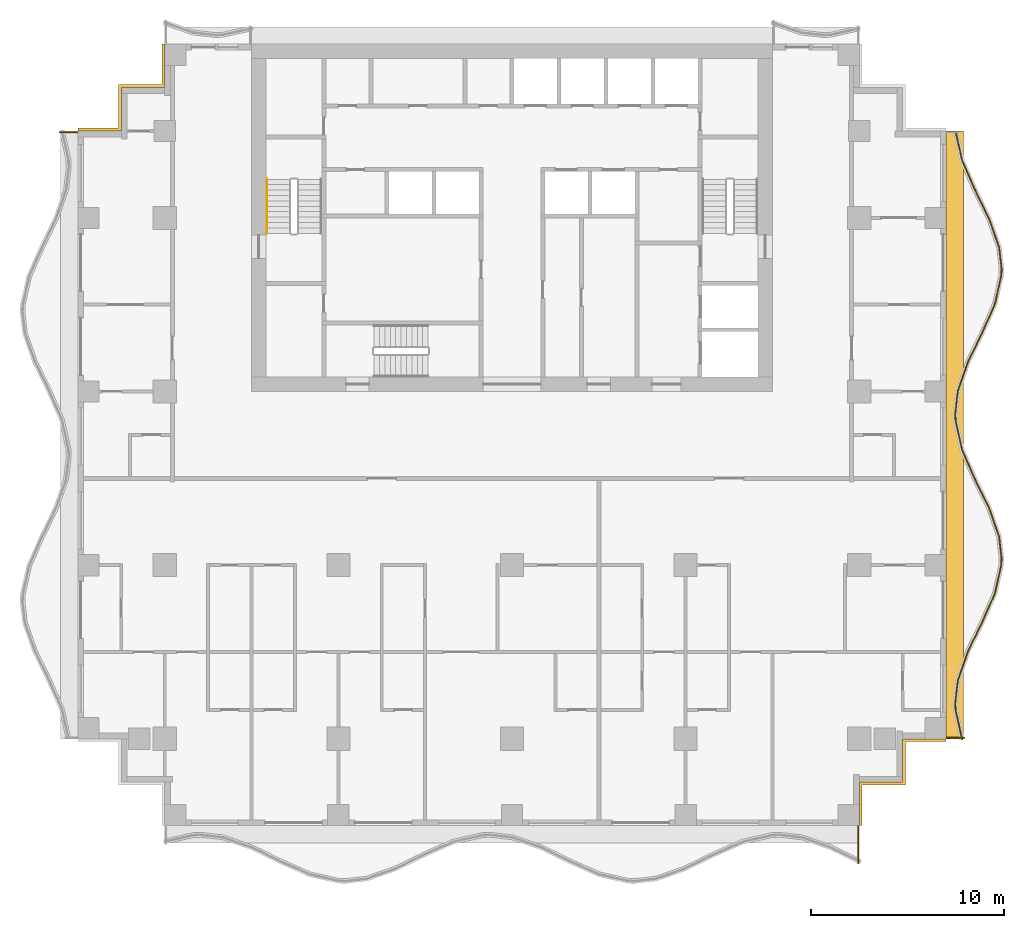
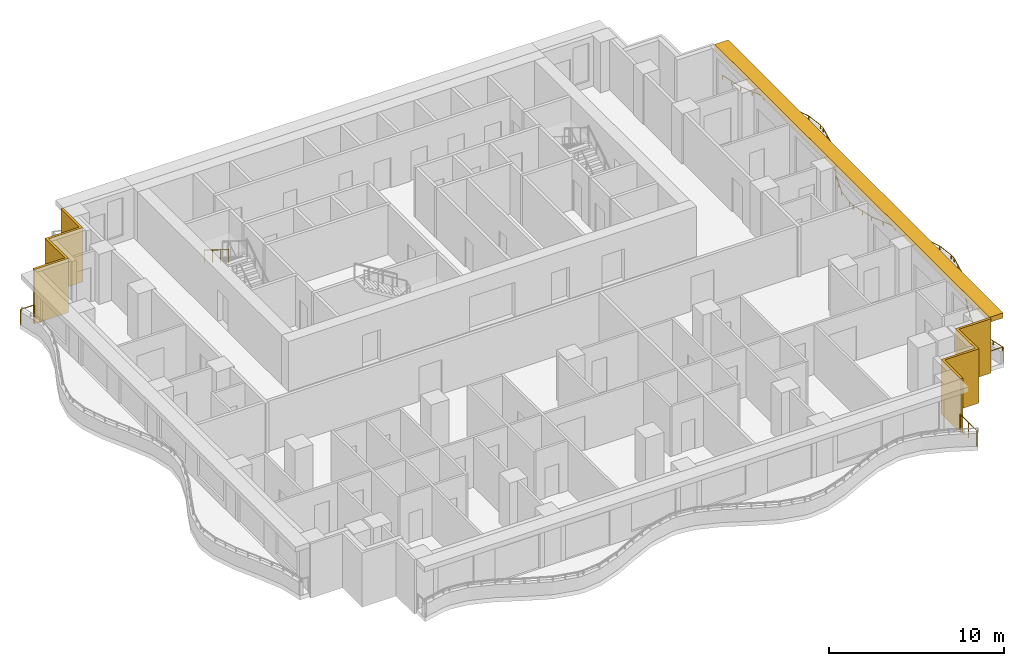
# One storey, part 9 of 10: 5 railings, 3 shading devices.
"""IFC4 building model written with IfcOpenShell, lengths in metres."""

import ifcopenshell
import ifcopenshell.guid

model = None  # the IFC model being written
_history = None  # IfcOwnerHistory: only IFC2X3 demands one
_inside = {}  # id of a spatial element -> (the spatial element, [elements in it])
_under = {}  # id of a project, library or spatial element -> (it, [spatial elements below it])
_declared = {}  # id of a project -> (the project, [libraries it declares])
_typed = {}  # id of a type object -> (the type object, [elements of that type])
_made_of = {}  # id of a material, layer set ... -> (it, [elements and type objects made of it])


def new_model(schema):
    """Start an empty IFC model of exactly this schema.

    Asked for "IFC4X3", IfcOpenShell would pick the latest addendum, in which some entities
    have other attributes; the version numbers below select the first issue.
    IFC2X3 requires an IfcOwnerHistory on every rooted entity: one is made here for all.
    """
    global model, _history
    if schema == "IFC4X3":
        model = ifcopenshell.file(schema_version=(4, 3, 0, 0))
    else:
        model = ifcopenshell.file(schema=schema)
    _inside.clear()
    _under.clear()
    _declared.clear()
    _typed.clear()
    _made_of.clear()
    _history = None
    if model.schema == "IFC2X3":
        org = make("IfcOrganization", Name="unknown")
        user = make(
            "IfcPersonAndOrganization",
            ThePerson=make("IfcPerson", FamilyName="unknown"),
            TheOrganization=org,
        )
        app = make(
            "IfcApplication",
            ApplicationDeveloper=org,
            Version="unknown",
            ApplicationFullName="unknown",
            ApplicationIdentifier="unknown",
        )
        _history = make(
            "IfcOwnerHistory",
            OwningUser=user,
            OwningApplication=app,
            ChangeAction="ADDED",
            CreationDate=0,
        )
    return model


def make(cls, **values):
    """One entity of the class cls with the attributes given. An attribute that is None is left unset."""
    return model.create_entity(
        cls, **{name: value for name, value in values.items() if value is not None}
    )


def rooted(cls, **values):
    """An entity with a GlobalId (a new one), such as an element, a storey or a relation."""
    return make(cls, GlobalId=ifcopenshell.guid.new(), OwnerHistory=_history, **values)


def si_unit(unit_type, name, prefix=None):
    """IfcSIUnit, for example si_unit("LENGTHUNIT", "METRE", prefix="MILLI")."""
    return make("IfcSIUnit", UnitType=unit_type, Prefix=prefix, Name=name)


def assignment(units):
    """IfcUnitAssignment: the units of a project."""
    return None if units is None else make("IfcUnitAssignment", Units=units)


def point(xyz):
    """IfcCartesianPoint."""
    return None if xyz is None else make("IfcCartesianPoint", Coordinates=xyz)


def direction(xyz):
    """IfcDirection."""
    return None if xyz is None else make("IfcDirection", DirectionRatios=xyz)


def frame(location, z_axis=None, x_axis=None):
    """IfcAxis2Placement3D, a coordinate frame: its origin and axes. An axis left out is left unset."""
    return make(
        "IfcAxis2Placement3D",
        Location=point(location),
        Axis=direction(z_axis),
        RefDirection=direction(x_axis),
    )


def frame_2d(location, x_axis=None):
    """IfcAxis2Placement2D, a coordinate frame in the plane: its origin and x axis."""
    return make(
        "IfcAxis2Placement2D", Location=point(location), RefDirection=direction(x_axis)
    )


def origin():
    """The frame at (0, 0, 0) with its axes left unset."""
    return frame((0.0, 0.0, 0.0))


def origin_2d():
    """The frame at (0, 0) in the plane with its x axis left unset."""
    return frame_2d((0.0, 0.0))


def place(relative_to, where):
    """IfcLocalPlacement: puts the frame where relative to a parent placement (None: the world)."""
    return make(
        "IfcLocalPlacement", PlacementRelTo=relative_to, RelativePlacement=where
    )


def context(
    kind, dimensions, precision=None, world=None, true_north=None, identifier=None
):
    """IfcGeometricRepresentationContext, for example the 3D "Model" context."""
    return make(
        "IfcGeometricRepresentationContext",
        ContextIdentifier=identifier,
        ContextType=kind,
        CoordinateSpaceDimension=dimensions,
        Precision=precision,
        WorldCoordinateSystem=world,
        TrueNorth=true_north,
    )


def subcontext(parent, identifier, kind, view, scale=None):
    """IfcGeometricRepresentationSubContext, for example "Body" below "Model"."""
    return make(
        "IfcGeometricRepresentationSubContext",
        ContextIdentifier=identifier,
        ContextType=kind,
        ParentContext=parent,
        TargetScale=scale,
        TargetView=view,
    )


def project(units=None, contexts=None):
    """IfcProject with its units and contexts."""
    return rooted(
        "IfcProject",
        Name="project",
        RepresentationContexts=contexts,
        UnitsInContext=assignment(units),
    )


def spatial(cls, under=None, at=None, **own):
    """A site, building, storey or space (cls), placed at a placement, below another one or the project."""
    s = rooted(cls, ObjectPlacement=at, **own)
    if under is not None:
        _under.setdefault(under.id(), (under, []))[1].append(s)
    return s


def polyline(points):
    """IfcPolyline through the points."""
    return make("IfcPolyline", Points=[point(p) for p in points])


def profile(cls, at=None, kind="AREA", **sizes):
    """A parametric profile (cls). Its sizes go by their IFC names, for example OverallWidth=200.0."""
    return make(cls, ProfileType=kind, Position=at, **sizes)


def rectangle(**sizes):
    """IfcRectangleProfileDef."""
    return profile("IfcRectangleProfileDef", **sizes)


def circle(**sizes):
    """IfcCircleProfileDef."""
    return profile("IfcCircleProfileDef", **sizes)


def outline(outer, holes=None, kind="AREA"):
    """IfcArbitraryClosedProfileDef: a profile drawn as a closed curve; with holes, ...WithVoids."""
    if holes is None:
        return make("IfcArbitraryClosedProfileDef", ProfileType=kind, OuterCurve=outer)
    return make(
        "IfcArbitraryProfileDefWithVoids",
        ProfileType=kind,
        OuterCurve=outer,
        InnerCurves=holes,
    )


def extrude(swept, where, along, depth):
    """IfcExtrudedAreaSolid: the profile swept, set in the frame where, extruded along a direction by depth."""
    return make(
        "IfcExtrudedAreaSolid",
        SweptArea=swept,
        Position=where,
        ExtrudedDirection=direction(along),
        Depth=depth,
    )


def shape(context_of_items, identifier, shape_type, items):
    """IfcShapeRepresentation: the items that make up one representation, for example the "Body"."""
    return make(
        "IfcShapeRepresentation",
        ContextOfItems=context_of_items,
        RepresentationIdentifier=identifier,
        RepresentationType=shape_type,
        Items=items,
    )


def material(Name=None, Category=None):
    """IfcMaterial."""
    return make("IfcMaterial", Name=Name, Category=Category)


def layer(
    of_material, thickness, ventilated=None, Name=None, Category=None, Priority=None
):
    """IfcMaterialLayer: one layer of a wall or slab, of a material (None: an air gap)."""
    return make(
        "IfcMaterialLayer",
        Material=of_material,
        LayerThickness=thickness,
        IsVentilated=ventilated,
        Name=Name,
        Category=Category,
        Priority=Priority,
    )


def layer_set(layers, Name=None):
    """IfcMaterialLayerSet."""
    return make("IfcMaterialLayerSet", MaterialLayers=layers, LayerSetName=Name)


def made_of(thing, what):
    """Note that an element or type object is made of a material, layer set ...; save() writes the relation."""
    if what is not None:
        _made_of.setdefault(what.id(), (what, []))[1].append(thing)
    return thing


def type_object(cls, material=None, **own):
    """A type object (cls), such as IfcWallType, which elements share."""
    return made_of(rooted(cls, **own), material)


def element(
    cls,
    number,
    at=None,
    inside=None,
    cuts=None,
    type_object=None,
    material=None,
    context=None,
    identifier="Body",
    shape_type=None,
    held_by="IfcProductDefinitionShape",
    body=None,
    shapes=None,
    **own,
):
    """One element of the class cls, such as IfcWall. Its Tag is "e" and its number.

    at: its placement. inside: the storey or other place that contains it. cuts: it is an
    opening in that element (IfcRelVoidsElement). A single representation is given by context,
    identifier, shape_type and body (its items); several are given by shapes. held_by: the class
    of the entity that holds the representations. save() writes the other relations.
    """
    e = rooted(cls, Tag="e%d" % number, ObjectPlacement=at, **own)
    if body is not None:
        shapes = [shape(context, identifier, shape_type, body)]
    if shapes is not None:
        e.Representation = make(held_by, Representations=shapes)
    if inside is not None:
        _inside.setdefault(inside.id(), (inside, []))[1].append(e)
    if cuts is not None:
        rooted(
            "IfcRelVoidsElement", RelatingBuildingElement=cuts, RelatedOpeningElement=e
        )
    if type_object is not None:
        _typed.setdefault(type_object.id(), (type_object, []))[1].append(e)
    return made_of(e, material)


def aggregate(whole, parts):
    """IfcRelAggregates: a whole, such as a stair, and the parts it consists of."""
    return rooted("IfcRelAggregates", RelatingObject=whole, RelatedObjects=parts)


def save(model, path):
    """Write the relations noted so far, then the file.

    IfcRelAggregates (storeys below a building ...), IfcRelContainedInSpatialStructure (elements
    in a storey), IfcRelDefinesByType, IfcRelAssociatesMaterial and IfcRelDeclares: one each for
    every whole, place, type object, material and project.
    """
    for whole, parts in _under.values():
        aggregate(whole, parts)
    for where, things in _inside.values():
        rooted(
            "IfcRelContainedInSpatialStructure",
            RelatedElements=things,
            RelatingStructure=where,
        )
    for kind, things in _typed.values():
        rooted("IfcRelDefinesByType", RelatedObjects=things, RelatingType=kind)
    for what, things in _made_of.values():
        rooted("IfcRelAssociatesMaterial", RelatedObjects=things, RelatingMaterial=what)
    for by, libraries in _declared.values():
        rooted("IfcRelDeclares", RelatingContext=by, RelatedDefinitions=libraries)
    model.write(path)


model = new_model("IFC4")

# Units and contexts
model_context = context("Model", 3, precision=1e-05, world=origin(), true_north=direction((0.0, 1.0)))
body_context = subcontext(model_context, "Body", "Model", "MODEL_VIEW")
ifc_project = project(units=[si_unit("LENGTHUNIT", "METRE"), si_unit("AREAUNIT", "SQUARE_METRE"), si_unit("VOLUMEUNIT", "CUBIC_METRE"), si_unit("PLANEANGLEUNIT", "RADIAN"), si_unit("MASSUNIT", "GRAM", prefix="KILO")], contexts=[model_context])

# Site, building, storey
site_placement = place(None, origin())
site = spatial("IfcSite", under=ifc_project, at=site_placement, CompositionType="ELEMENT")
building_placement = place(site_placement, origin())
building = spatial("IfcBuilding", under=site, at=building_placement, Name="Orbiselva Terraces", CompositionType="ELEMENT")
storey_placement = place(building_placement, frame((0.0, 0.0, 163.0)))
storey = spatial("IfcBuildingStorey", under=building, at=storey_placement, Name="L41", CompositionType="ELEMENT", Elevation=163.0)

# Railings
ifc_material_1 = material(Name="Stainless steel", Category="steel")
railing_type_1 = type_object("IfcRailingType", Name="CORE-HANDRAIL-900", PredefinedType="HANDRAIL", material=ifc_material_1)
railing_1_placement = place(storey_placement, frame((-12.7, 15.5, 2.072727)))
element("IfcRailing", 1, at=railing_1_placement, inside=storey, type_object=railing_type_1, Name="L41 S1 stair handrail 2", PredefinedType="HANDRAIL", context=body_context, shape_type="SweptSolid", body=[
    extrude(circle(Radius=0.024, at=origin_2d()), frame((0.0, 0.0, 0.876), z_axis=(0.0, -0.851088519012, 0.52502222125), x_axis=(1.0, 0.0, 0.0)), (0.0, 0.0, 1.0), 3.289905),
    extrude(circle(Radius=0.021, at=origin_2d()), origin(), (0.0, 0.0, 1.0), 0.852),
    extrude(circle(Radius=0.021, at=origin_2d()), frame((0.0, -0.933333, 0.575758)), (0.0, 0.0, 1.0), 0.852),
    extrude(circle(Radius=0.021, at=origin_2d()), frame((0.0, -1.866667, 1.151515)), (0.0, 0.0, 1.0), 0.852),
    extrude(circle(Radius=0.021, at=origin_2d()), frame((0.0, -2.8, 1.727273)), (0.0, 0.0, 1.0), 0.852),
])
ifc_material_2 = material(Name="Bonded two-ply safety glass balustrade, stainless steel posts", Category="steel")
railing_type_2 = type_object("IfcRailingType", Name="ENV-BALUSTRADE-1200", PredefinedType="BALUSTRADE", material=ifc_material_2)
railing_2_placement = place(storey_placement, frame((23.329507, -13.527377, 0.9)))
element("IfcRailing", 2, at=railing_2_placement, inside=storey, type_object=railing_type_2, Name="Balcony balustrade L41 E", PredefinedType="BALUSTRADE", context=body_context, shape_type="SweptSolid", body=[
    extrude(outline(polyline([(0.028868, 0.0), (0.014434, 0.025), (-0.014434, 0.025), (-0.028868, 0.0), (-0.014434, -0.025), (0.014434, -0.025), (0.028868, 0.0)])), frame((0.0, 0.0, 0.275), z_axis=(-0.219015484484, 0.97572138316, 0.0), x_axis=(-0.97572138316, -0.219015484484, 0.0)), (0.0, 0.0, 1.0), 1.548694),
    extrude(outline(polyline([(0.028868, 0.0), (0.014434, 0.025), (-0.014434, 0.025), (-0.028868, 0.0), (-0.014434, -0.025), (0.014434, -0.025), (0.028868, 0.0)])), frame((-0.339188, 1.511094, 0.275), z_axis=(-0.03936915532, 0.999224734286, 0.0), x_axis=(-0.999224734286, -0.03936915532, 0.0)), (0.0, 0.0, 1.0), 0.396376),
    extrude(outline(polyline([(0.028868, 0.0), (0.014434, 0.025), (-0.014434, 0.025), (-0.028868, 0.0), (-0.014434, -0.025), (0.014434, -0.025), (0.028868, 0.0)])), frame((-0.354793, 1.907163, 0.275), z_axis=(0.115482182324, 0.993309551734, 0.0), x_axis=(-0.993309551734, 0.115482182324, 0.0)), (0.0, 0.0, 1.0), 1.156135),
    extrude(outline(polyline([(0.028868, 0.0), (0.014434, 0.025), (-0.014434, 0.025), (-0.028868, 0.0), (-0.014434, -0.025), (0.014434, -0.025), (0.028868, 0.0)])), frame((-0.22128, 3.055563, 0.275), z_axis=(0.330024597479, 0.943972332783, 0.0), x_axis=(-0.943972332783, 0.330024597479, 0.0)), (0.0, 0.0, 1.0), 1.610253),
    extrude(outline(polyline([(0.028868, 0.0), (0.014434, 0.025), (-0.014434, 0.025), (-0.028868, 0.0), (-0.014434, -0.025), (0.014434, -0.025), (0.028868, 0.0)])), frame((0.310143, 4.575597, 0.275), z_axis=(0.438812048596, 0.898578870221, 0.0), x_axis=(-0.898578870221, 0.438812048596, 0.0)), (0.0, 0.0, 1.0), 1.674225),
    extrude(outline(polyline([(0.028868, 0.0), (0.014434, 0.025), (-0.014434, 0.025), (-0.028868, 0.0), (-0.014434, -0.025), (0.014434, -0.025), (0.028868, 0.0)])), frame((1.044813, 6.08002, 0.275), z_axis=(0.403151245402, 0.915133363686, 0.0), x_axis=(-0.915133363686, 0.403151245402, 0.0)), (0.0, 0.0, 1.0), 1.624475),
    extrude(outline(polyline([(0.028868, 0.0), (0.014434, 0.025), (-0.014434, 0.025), (-0.028868, 0.0), (-0.014434, -0.025), (0.014434, -0.025), (0.028868, 0.0)])), frame((1.699722, 7.566631, 0.275), z_axis=(0.219015740235, 0.975721325753, 0.0), x_axis=(-0.975721325753, 0.219015740235, 0.0)), (0.0, 0.0, 1.0), 1.513782),
    extrude(outline(polyline([(0.028868, 0.0), (0.014434, 0.025), (-0.014434, 0.025), (-0.028868, 0.0), (-0.014434, -0.025), (0.014434, -0.025), (0.028868, 0.0)])), frame((2.031264, 9.04366, 0.275), z_axis=(0.039364150694, 0.999224931454, 0.0), x_axis=(-0.999224931454, 0.039364150694, 0.0)), (0.0, 0.0, 1.0), 0.354206),
    extrude(outline(polyline([(0.028868, 0.0), (0.014434, 0.025), (-0.014434, 0.025), (-0.028868, 0.0), (-0.014434, -0.025), (0.014434, -0.025), (0.028868, 0.0)])), frame((2.045207, 9.397591, 0.275), z_axis=(-0.115481264762, 0.993309658409, 0.0), x_axis=(-0.993309658409, -0.115481264762, 0.0)), (0.0, 0.0, 1.0), 1.10902),
    extrude(outline(polyline([(0.028868, 0.0), (0.014434, 0.025), (-0.014434, 0.025), (-0.028868, 0.0), (-0.014434, -0.025), (0.014434, -0.025), (0.028868, 0.0)])), frame((1.917136, 10.499191, 0.275), z_axis=(-0.330024754707, 0.943972277814, 0.0), x_axis=(-0.943972277814, -0.330024754707, 0.0)), (0.0, 0.0, 1.0), 1.567807),
    extrude(outline(polyline([(0.028868, 0.0), (0.014434, 0.025), (-0.014434, 0.025), (-0.028868, 0.0), (-0.014434, -0.025), (0.014434, -0.025), (0.028868, 0.0)])), frame((1.399721, 11.979157, 0.275), z_axis=(-0.438811978768, 0.89857890432, 0.0), x_axis=(-0.89857890432, -0.438811978768, 0.0)), (0.0, 0.0, 1.0), 1.66438),
    extrude(outline(polyline([(0.028868, 0.0), (0.014434, 0.025), (-0.014434, 0.025), (-0.028868, 0.0), (-0.014434, -0.025), (0.014434, -0.025), (0.028868, 0.0)])), frame((0.669371, 13.474734, 0.275), z_axis=(-0.403150874148, 0.915133527237, 0.0), x_axis=(-0.915133527237, -0.403150874148, 0.0)), (0.0, 0.0, 1.0), 1.653736),
    extrude(outline(polyline([(0.028868, 0.0), (0.014434, 0.025), (-0.014434, 0.025), (-0.028868, 0.0), (-0.014434, -0.025), (0.014434, -0.025), (0.028868, 0.0)])), frame((0.002666, 14.988123, 0.275), z_axis=(-0.219015500924, 0.97572137947, 0.0), x_axis=(-0.97572137947, -0.219015500924, 0.0)), (0.0, 0.0, 1.0), 1.560867),
    extrude(outline(polyline([(0.028868, 0.0), (0.014434, 0.025), (-0.014434, 0.025), (-0.028868, 0.0), (-0.014434, -0.025), (0.014434, -0.025), (0.028868, 0.0)])), frame((-0.339188, 16.511094, 0.275), z_axis=(-0.03936915532, 0.999224734286, 0.0), x_axis=(-0.999224734286, -0.03936915532, 0.0)), (0.0, 0.0, 1.0), 0.396376),
    extrude(outline(polyline([(0.028868, 0.0), (0.014434, 0.025), (-0.014434, 0.025), (-0.028868, 0.0), (-0.014434, -0.025), (0.014434, -0.025), (0.028868, 0.0)])), frame((-0.354793, 16.907163, 0.275), z_axis=(0.115482182324, 0.993309551734, 0.0), x_axis=(-0.993309551734, 0.115482182324, 0.0)), (0.0, 0.0, 1.0), 1.156135),
    extrude(outline(polyline([(0.028868, 0.0), (0.014434, 0.025), (-0.014434, 0.025), (-0.028868, 0.0), (-0.014434, -0.025), (0.014434, -0.025), (0.028868, 0.0)])), frame((-0.22128, 18.055563, 0.275), z_axis=(0.330024597479, 0.943972332783, 0.0), x_axis=(-0.943972332783, 0.330024597479, 0.0)), (0.0, 0.0, 1.0), 1.610253),
    extrude(outline(polyline([(0.028868, 0.0), (0.014434, 0.025), (-0.014434, 0.025), (-0.028868, 0.0), (-0.014434, -0.025), (0.014434, -0.025), (0.028868, 0.0)])), frame((0.310143, 19.575597, 0.275), z_axis=(0.438812048596, 0.898578870221, 0.0), x_axis=(-0.898578870221, 0.438812048596, 0.0)), (0.0, 0.0, 1.0), 1.674225),
    extrude(outline(polyline([(0.028868, 0.0), (0.014434, 0.025), (-0.014434, 0.025), (-0.028868, 0.0), (-0.014434, -0.025), (0.014434, -0.025), (0.028868, 0.0)])), frame((1.044813, 21.08002, 0.275), z_axis=(0.403151245402, 0.915133363686, 0.0), x_axis=(-0.915133363686, 0.403151245402, 0.0)), (0.0, 0.0, 1.0), 1.624475),
    extrude(outline(polyline([(0.028868, 0.0), (0.014434, 0.025), (-0.014434, 0.025), (-0.028868, 0.0), (-0.014434, -0.025), (0.014434, -0.025), (0.028868, 0.0)])), frame((1.699722, 22.566631, 0.275), z_axis=(0.219015740235, 0.975721325753, 0.0), x_axis=(-0.975721325753, 0.219015740235, 0.0)), (0.0, 0.0, 1.0), 1.513782),
    extrude(outline(polyline([(0.028868, 0.0), (0.014434, 0.025), (-0.014434, 0.025), (-0.028868, 0.0), (-0.014434, -0.025), (0.014434, -0.025), (0.028868, 0.0)])), frame((2.031264, 24.04366, 0.275), z_axis=(0.039364150694, 0.999224931454, 0.0), x_axis=(-0.999224931454, 0.039364150694, 0.0)), (0.0, 0.0, 1.0), 0.354206),
    extrude(outline(polyline([(0.028868, 0.0), (0.014434, 0.025), (-0.014434, 0.025), (-0.028868, 0.0), (-0.014434, -0.025), (0.014434, -0.025), (0.028868, 0.0)])), frame((2.045207, 24.397591, 0.275), z_axis=(-0.115481264762, 0.993309658409, 0.0), x_axis=(-0.993309658409, -0.115481264762, 0.0)), (0.0, 0.0, 1.0), 1.10902),
    extrude(outline(polyline([(0.028868, 0.0), (0.014434, 0.025), (-0.014434, 0.025), (-0.028868, 0.0), (-0.014434, -0.025), (0.014434, -0.025), (0.028868, 0.0)])), frame((1.917136, 25.499191, 0.275), z_axis=(-0.330024754707, 0.943972277814, 0.0), x_axis=(-0.943972277814, -0.330024754707, 0.0)), (0.0, 0.0, 1.0), 1.567807),
    extrude(outline(polyline([(0.028868, 0.0), (0.014434, 0.025), (-0.014434, 0.025), (-0.028868, 0.0), (-0.014434, -0.025), (0.014434, -0.025), (0.028868, 0.0)])), frame((1.399721, 26.979157, 0.275), z_axis=(-0.438811978768, 0.89857890432, 0.0), x_axis=(-0.89857890432, -0.438811978768, 0.0)), (0.0, 0.0, 1.0), 1.66438),
    extrude(outline(polyline([(0.028868, 0.0), (0.014434, 0.025), (-0.014434, 0.025), (-0.028868, 0.0), (-0.014434, -0.025), (0.014434, -0.025), (0.028868, 0.0)])), frame((0.669371, 28.474734, 0.275), z_axis=(-0.403150874148, 0.915133527237, 0.0), x_axis=(-0.915133527237, -0.403150874148, 0.0)), (0.0, 0.0, 1.0), 1.653736),
    extrude(outline(polyline([(0.028868, 0.0), (0.014434, 0.025), (-0.014434, 0.025), (-0.028868, 0.0), (-0.014434, -0.025), (0.014434, -0.025), (0.028868, 0.0)])), frame((0.002666, 29.988123, 0.275), z_axis=(-0.219015634252, 0.975721349543, 0.0), x_axis=(-0.975721349543, -0.219015634252, 0.0)), (0.0, 0.0, 1.0), 1.549497),
    extrude(rectangle(XDim=0.05, YDim=0.05, at=origin_2d()), origin(), (0.0, 0.0, 1.0), 0.25),
    extrude(rectangle(XDim=0.05, YDim=0.05, at=origin_2d()), frame((-0.169594, 0.755547, 0.0)), (0.0, 0.0, 1.0), 0.25),
    extrude(rectangle(XDim=0.05, YDim=0.05, at=origin_2d()), frame((-0.339188, 1.511094, 0.0)), (0.0, 0.0, 1.0), 0.25),
    extrude(rectangle(XDim=0.05, YDim=0.05, at=origin_2d()), frame((-0.354793, 1.907163, 0.0)), (0.0, 0.0, 1.0), 0.25),
    extrude(rectangle(XDim=0.05, YDim=0.05, at=origin_2d()), frame((-0.22128, 3.055563, 0.0)), (0.0, 0.0, 1.0), 0.25),
    extrude(rectangle(XDim=0.05, YDim=0.05, at=origin_2d()), frame((0.044431, 3.81558, 0.0)), (0.0, 0.0, 1.0), 0.25),
    extrude(rectangle(XDim=0.05, YDim=0.05, at=origin_2d()), frame((0.310143, 4.575597, 0.0)), (0.0, 0.0, 1.0), 0.25),
    extrude(rectangle(XDim=0.05, YDim=0.05, at=origin_2d()), frame((0.677478, 5.327808, 0.0)), (0.0, 0.0, 1.0), 0.25),
    extrude(rectangle(XDim=0.05, YDim=0.05, at=origin_2d()), frame((1.044813, 6.08002, 0.0)), (0.0, 0.0, 1.0), 0.25),
    extrude(rectangle(XDim=0.05, YDim=0.05, at=origin_2d()), frame((1.372268, 6.823325, 0.0)), (0.0, 0.0, 1.0), 0.25),
    extrude(rectangle(XDim=0.05, YDim=0.05, at=origin_2d()), frame((1.699722, 7.566631, 0.0)), (0.0, 0.0, 1.0), 0.25),
    extrude(rectangle(XDim=0.05, YDim=0.05, at=origin_2d()), frame((1.865493, 8.305145, 0.0)), (0.0, 0.0, 1.0), 0.25),
    extrude(rectangle(XDim=0.05, YDim=0.05, at=origin_2d()), frame((2.031264, 9.04366, 0.0)), (0.0, 0.0, 1.0), 0.25),
    extrude(rectangle(XDim=0.05, YDim=0.05, at=origin_2d()), frame((2.045207, 9.397591, 0.0)), (0.0, 0.0, 1.0), 0.25),
    extrude(rectangle(XDim=0.05, YDim=0.05, at=origin_2d()), frame((1.917136, 10.499191, 0.0)), (0.0, 0.0, 1.0), 0.25),
    extrude(rectangle(XDim=0.05, YDim=0.05, at=origin_2d()), frame((1.658428, 11.239174, 0.0)), (0.0, 0.0, 1.0), 0.25),
    extrude(rectangle(XDim=0.05, YDim=0.05, at=origin_2d()), frame((1.399721, 11.979157, 0.0)), (0.0, 0.0, 1.0), 0.25),
    extrude(rectangle(XDim=0.05, YDim=0.05, at=origin_2d()), frame((1.034546, 12.726946, 0.0)), (0.0, 0.0, 1.0), 0.25),
    extrude(rectangle(XDim=0.05, YDim=0.05, at=origin_2d()), frame((0.669371, 13.474734, 0.0)), (0.0, 0.0, 1.0), 0.25),
    extrude(rectangle(XDim=0.05, YDim=0.05, at=origin_2d()), frame((0.336019, 14.231428, 0.0)), (0.0, 0.0, 1.0), 0.25),
    extrude(rectangle(XDim=0.05, YDim=0.05, at=origin_2d()), frame((0.002666, 14.988123, 0.0)), (0.0, 0.0, 1.0), 0.25),
    extrude(rectangle(XDim=0.05, YDim=0.05, at=origin_2d()), frame((-0.168261, 15.749608, 0.0)), (0.0, 0.0, 1.0), 0.25),
    extrude(rectangle(XDim=0.05, YDim=0.05, at=origin_2d()), frame((-0.339188, 16.511094, 0.0)), (0.0, 0.0, 1.0), 0.25),
    extrude(rectangle(XDim=0.05, YDim=0.05, at=origin_2d()), frame((-0.354793, 16.907163, 0.0)), (0.0, 0.0, 1.0), 0.25),
    extrude(rectangle(XDim=0.05, YDim=0.05, at=origin_2d()), frame((-0.22128, 18.055563, 0.0)), (0.0, 0.0, 1.0), 0.25),
    extrude(rectangle(XDim=0.05, YDim=0.05, at=origin_2d()), frame((0.044431, 18.81558, 0.0)), (0.0, 0.0, 1.0), 0.25),
    extrude(rectangle(XDim=0.05, YDim=0.05, at=origin_2d()), frame((0.310143, 19.575597, 0.0)), (0.0, 0.0, 1.0), 0.25),
    extrude(rectangle(XDim=0.05, YDim=0.05, at=origin_2d()), frame((0.677478, 20.327808, 0.0)), (0.0, 0.0, 1.0), 0.25),
    extrude(rectangle(XDim=0.05, YDim=0.05, at=origin_2d()), frame((1.044813, 21.08002, 0.0)), (0.0, 0.0, 1.0), 0.25),
    extrude(rectangle(XDim=0.05, YDim=0.05, at=origin_2d()), frame((1.372268, 21.823326, 0.0)), (0.0, 0.0, 1.0), 0.25),
    extrude(rectangle(XDim=0.05, YDim=0.05, at=origin_2d()), frame((1.699722, 22.566631, 0.0)), (0.0, 0.0, 1.0), 0.25),
    extrude(rectangle(XDim=0.05, YDim=0.05, at=origin_2d()), frame((1.865493, 23.305146, 0.0)), (0.0, 0.0, 1.0), 0.25),
    extrude(rectangle(XDim=0.05, YDim=0.05, at=origin_2d()), frame((2.031264, 24.04366, 0.0)), (0.0, 0.0, 1.0), 0.25),
    extrude(rectangle(XDim=0.05, YDim=0.05, at=origin_2d()), frame((2.045207, 24.397591, 0.0)), (0.0, 0.0, 1.0), 0.25),
    extrude(rectangle(XDim=0.05, YDim=0.05, at=origin_2d()), frame((1.917136, 25.499191, 0.0)), (0.0, 0.0, 1.0), 0.25),
    extrude(rectangle(XDim=0.05, YDim=0.05, at=origin_2d()), frame((1.658428, 26.239174, 0.0)), (0.0, 0.0, 1.0), 0.25),
    extrude(rectangle(XDim=0.05, YDim=0.05, at=origin_2d()), frame((1.399721, 26.979157, 0.0)), (0.0, 0.0, 1.0), 0.25),
    extrude(rectangle(XDim=0.05, YDim=0.05, at=origin_2d()), frame((1.034546, 27.726946, 0.0)), (0.0, 0.0, 1.0), 0.25),
    extrude(rectangle(XDim=0.05, YDim=0.05, at=origin_2d()), frame((0.669371, 28.474734, 0.0)), (0.0, 0.0, 1.0), 0.25),
    extrude(rectangle(XDim=0.05, YDim=0.05, at=origin_2d()), frame((0.336019, 29.231428, 0.0)), (0.0, 0.0, 1.0), 0.25),
    extrude(rectangle(XDim=0.05, YDim=0.05, at=origin_2d()), frame((0.002666, 29.988123, 0.0)), (0.0, 0.0, 1.0), 0.25),
    extrude(rectangle(XDim=0.05, YDim=0.05, at=origin_2d()), frame((-0.167016, 30.744062, 0.0)), (0.0, 0.0, 1.0), 0.25),
    extrude(rectangle(XDim=0.05, YDim=0.05, at=origin_2d()), frame((-0.336698, 31.5, 0.0)), (0.0, 0.0, 1.0), 0.25),
])
ifc_material_3 = material(Name="Stainless steel rail and posts", Category="steel")
railing_type_3 = type_object("IfcRailingType", Name="ENV-GUARD-1105", PredefinedType="BALUSTRADE", material=ifc_material_3)
railing_3_placement = place(storey_placement, frame((17.94, -19.957877, 0.0)))
element("IfcRailing", 3, at=railing_3_placement, inside=storey, type_object=railing_type_3, Name="Balcony end guard L41 S", PredefinedType="BALUSTRADE", context=body_context, shape_type="SweptSolid", body=[
    extrude(outline(polyline([(0.028868, 0.0), (0.014434, 0.025), (-0.014434, 0.025), (-0.028868, 0.0), (-0.014434, -0.025), (0.014434, -0.025), (0.028868, 0.0)])), frame((0.0, 0.0, 1.08), z_axis=(0.0, 1.0, 0.0), x_axis=(-1.0, 0.0, 0.0)), (0.0, 0.0, 1.0), 1.932877),
    extrude(rectangle(XDim=0.05, YDim=0.05, at=origin_2d()), origin(), (0.0, 0.0, 1.0), 1.055),
    extrude(rectangle(XDim=0.05, YDim=0.05, at=origin_2d()), frame((0.0, 0.966439, 0.0)), (0.0, 0.0, 1.0), 1.055),
    extrude(rectangle(XDim=0.05, YDim=0.05, at=origin_2d()), frame((0.0, 1.932877, 0.0)), (0.0, 0.0, 1.0), 1.055),
])
railing_4_placement = place(storey_placement, frame((23.430416, -13.44, 0.0)))
element("IfcRailing", 4, at=railing_4_placement, inside=storey, type_object=railing_type_3, Name="Balcony end guard L41 E", PredefinedType="BALUSTRADE", context=body_context, shape_type="SweptSolid", body=[
    extrude(outline(polyline([(0.028868, 0.0), (0.014434, 0.025), (-0.014434, 0.025), (-0.028868, 0.0), (-0.014434, -0.025), (0.014434, -0.025), (0.028868, 0.0)])), frame((0.0, 0.0, 1.08), z_axis=(-1.0, 0.0, 0.0), x_axis=(0.0, -1.0, 0.0)), (0.0, 0.0, 1.0), 0.905416),
    extrude(rectangle(XDim=0.05, YDim=0.05, at=origin_2d()), origin(), (0.0, 0.0, 1.0), 1.055),
    extrude(rectangle(XDim=0.05, YDim=0.05, at=origin_2d()), frame((-0.905416, 0.0, 0.0)), (0.0, 0.0, 1.0), 1.055),
])
railing_5_placement = place(storey_placement, frame((-23.430416, 17.94, 0.0)))
element("IfcRailing", 5, at=railing_5_placement, inside=storey, type_object=railing_type_3, Name="Balcony end guard L41 W", PredefinedType="BALUSTRADE", context=body_context, shape_type="SweptSolid", body=[
    extrude(outline(polyline([(0.028868, 0.0), (0.014434, 0.025), (-0.014434, 0.025), (-0.028868, 0.0), (-0.014434, -0.025), (0.014434, -0.025), (0.028868, 0.0)])), frame((0.0, 0.0, 1.08), z_axis=(1.0, 0.0, 0.0), x_axis=(0.0, 1.0, 0.0)), (0.0, 0.0, 1.0), 0.905416),
    extrude(rectangle(XDim=0.05, YDim=0.05, at=origin_2d()), origin(), (0.0, 0.0, 1.0), 1.055),
    extrude(rectangle(XDim=0.05, YDim=0.05, at=origin_2d()), frame((0.905416, 0.0, 0.0)), (0.0, 0.0, 1.0), 1.055),
])

# Shading devices
ifc_material_4 = material(Name="Terracotta louvre screen", Category="masonry")
ifc_layer_1 = layer(ifc_material_4, 0.15)
ifc_layer_set_1 = layer_set([ifc_layer_1], Name="Terracotta louvre screen")
shading_device_type_1 = type_object("IfcShadingDeviceType", Name="ENV-SCREEN-150", PredefinedType="USERDEFINED", material=ifc_layer_set_1)
shading_device_1_placement = place(storey_placement, frame((0.0, 0.0, -0.3)))
element("IfcShadingDevice", 6, at=shading_device_1_placement, inside=storey, type_object=shading_device_type_1, Name="Louvre screen L41 NW", ObjectType="SCREEN", PredefinedType="USERDEFINED", context=body_context, shape_type="SweptSolid", body=[
    extrude(outline(polyline([(-18.15, 22.5), (-18.15, 20.4), (-20.4, 20.4), (-20.4, 18.15), (-22.5, 18.15), (-22.5, 18.0), (-20.25, 18.0), (-20.25, 20.25), (-18.0, 20.25), (-18.0, 22.5), (-18.15, 22.5)])), origin(), (0.0, 0.0, 1.0), 3.8),
])
shading_device_2_placement = place(storey_placement, frame((0.0, 0.0, -0.3)))
element("IfcShadingDevice", 7, at=shading_device_2_placement, inside=storey, type_object=shading_device_type_1, Name="Louvre screen L41 SE", ObjectType="SCREEN", PredefinedType="USERDEFINED", context=body_context, shape_type="SweptSolid", body=[
    extrude(outline(polyline([(18.15, -18.0), (18.15, -15.9), (20.4, -15.9), (20.4, -13.65), (22.5, -13.65), (22.5, -13.5), (20.25, -13.5), (20.25, -15.75), (18.0, -15.75), (18.0, -18.0), (18.15, -18.0)])), origin(), (0.0, 0.0, 1.0), 3.8),
])
ifc_material_5 = material(Name="Terracotta baguette sunshade", Category="masonry")
ifc_layer_2 = layer(ifc_material_5, 0.35)
ifc_layer_set_2 = layer_set([ifc_layer_2], Name="Terracotta baguette sunshade")
shading_device_type_2 = type_object("IfcShadingDeviceType", Name="ENV-SUNSHADE-900x350", PredefinedType="USERDEFINED", material=ifc_layer_set_2)
shading_device_3_placement = place(storey_placement, frame((0.0, 0.0, 3.15)))
element("IfcShadingDevice", 8, at=shading_device_3_placement, inside=storey, type_object=shading_device_type_2, Name="Sunshade band L41 E", ObjectType="SUNSHADE", PredefinedType="USERDEFINED", context=body_context, shape_type="SweptSolid", body=[
    extrude(outline(polyline([(23.4, -13.5), (23.4, 18.0), (22.5, 18.0), (22.5, -13.5), (23.4, -13.5)])), origin(), (0.0, 0.0, 1.0), 0.35),
])

save(model, "model.ifc")
